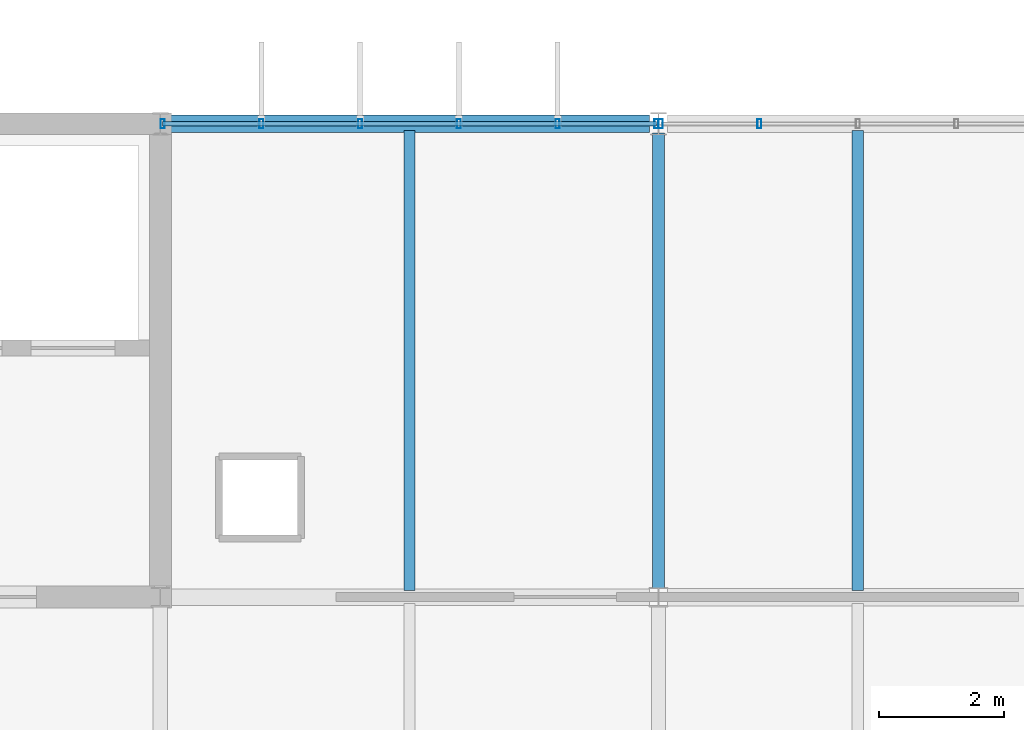
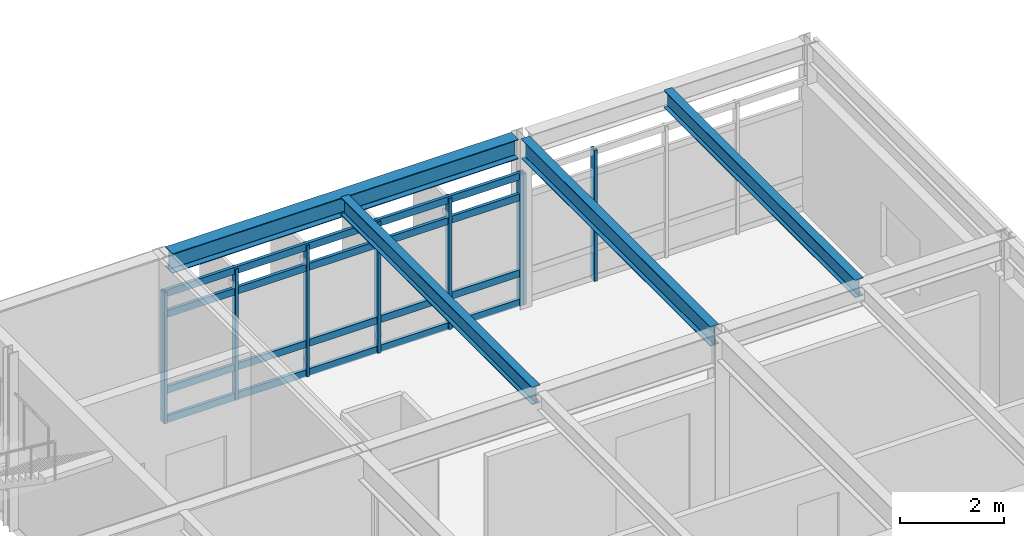
# One storey, part 11 of 21: 12 members, 4 beams, 2 elements without a shape of their own.
"""IFC4 building model written with IfcOpenShell, lengths in metres."""

from ifc_helpers import new_model, si_unit, direction, frame, origin, origin_2d, place, context, subcontext, project, spatial, hollow_rectangle, i_section, extrude, material, material_profile, profile_set, type_object, element, aggregate, save


model = new_model("IFC4")

# Units and contexts
model_context = context("Model", 3, precision=1e-05, world=origin(), true_north=direction((0.0, 1.0)))
body_context = subcontext(model_context, "Body", "Model", "MODEL_VIEW")
ifc_project = project(units=[si_unit("LENGTHUNIT", "METRE"), si_unit("AREAUNIT", "SQUARE_METRE"), si_unit("VOLUMEUNIT", "CUBIC_METRE"), si_unit("PLANEANGLEUNIT", "RADIAN"), si_unit("MASSUNIT", "GRAM", prefix="KILO")], contexts=[model_context])

# Site, building, storey
site_placement = place(None, origin())
site = spatial("IfcSite", under=ifc_project, at=site_placement, CompositionType="ELEMENT")
building_placement = place(site_placement, origin())
building = spatial("IfcBuilding", under=site, at=building_placement, Name="Zulena Civic Courthouse", CompositionType="ELEMENT")
storey_placement = place(building_placement, frame((0.0, 0.0, 37.800048828125)))
storey = spatial("IfcBuildingStorey", under=building, at=storey_placement, Name="L08", CompositionType="ELEMENT", Elevation=37.800048828125)

# Curtain wall, members
ifc_material_1 = material(Name="Double-silver low-E laminated solar-control glass", Category="glass")
curtain_wall_type_1 = type_object("IfcCurtainWallType", Name="CW_7928x3090", PredefinedType="USERDEFINED", material=ifc_material_1)
curtain_wall_1_placement = place(storey_placement, origin())
curtain_wall_1 = element("IfcCurtainWall", 1, at=curtain_wall_1_placement, inside=storey, type_object=curtain_wall_type_1, Name="cw:V2:L08:1:4", ObjectType="UNITISED CURTAIN WALL", PredefinedType="USERDEFINED")
ifc_material_2 = material(Name="Bronze anodised thermally broken aluminium AA6063-T6", Category="aluminium")
ifc_material_profile_1 = material_profile(ifc_material_2, hollow_rectangle(XDim=0.06494140625, YDim=0.14990234375, WallThickness=0.00390625, at=origin_2d()), Name="CWM150X65X4")
ifc_profile_set_1 = profile_set([ifc_material_profile_1], Name="Bronze anodised thermally broken aluminium AA6063-T6")
member_type_1 = type_object("IfcMemberType", Name="CWMullion_150x65", PredefinedType="MULLION", material=ifc_profile_set_1)
member_1_placement = place(storey_placement, frame((52.035888671875, 22.800048828125, 0.0), z_axis=(0.0, 0.0, 1.0), x_axis=(1.0, 0.0, 0.0)))
member_1 = element("IfcMember", 2, at=member_1_placement, type_object=member_type_1, Name="cw:V2:L08:1:4:mull:0", PredefinedType="MULLION", context=body_context, shape_type="SweptSolid", body=[
    extrude(hollow_rectangle(XDim=0.06494140625, YDim=0.14990234375, WallThickness=0.00390625, at=origin_2d()), origin(), (0.0, 0.0, 1.0), 3.08984375),
])
member_2_placement = place(storey_placement, frame((53.62158203125, 22.800048828125, 0.0), z_axis=(0.0, 0.0, 1.0), x_axis=(1.0, 0.0, 0.0)))
member_2 = element("IfcMember", 3, at=member_2_placement, type_object=member_type_1, Name="cw:V2:L08:1:4:mull:1", PredefinedType="MULLION", context=body_context, shape_type="SweptSolid", body=[
    extrude(hollow_rectangle(XDim=0.06494140625, YDim=0.14990234375, WallThickness=0.00390625, at=origin_2d()), origin(), (0.0, 0.0, 1.0), 3.08984375),
])
member_3_placement = place(storey_placement, frame((55.207275390625, 22.800048828125, 0.0), z_axis=(0.0, 0.0, 1.0), x_axis=(1.0, 0.0, 0.0)))
member_3 = element("IfcMember", 4, at=member_3_placement, type_object=member_type_1, Name="cw:V2:L08:1:4:mull:2", PredefinedType="MULLION", context=body_context, shape_type="SweptSolid", body=[
    extrude(hollow_rectangle(XDim=0.06494140625, YDim=0.14990234375, WallThickness=0.00390625, at=origin_2d()), origin(), (0.0, 0.0, 1.0), 3.08984375),
])
member_4_placement = place(storey_placement, frame((56.792724609375, 22.800048828125, 0.0), z_axis=(0.0, 0.0, 1.0), x_axis=(1.0, 0.0, 0.0)))
member_4 = element("IfcMember", 5, at=member_4_placement, type_object=member_type_1, Name="cw:V2:L08:1:4:mull:3", PredefinedType="MULLION", context=body_context, shape_type="SweptSolid", body=[
    extrude(hollow_rectangle(XDim=0.06494140625, YDim=0.14990234375, WallThickness=0.00390625, at=origin_2d()), origin(), (0.0, 0.0, 1.0), 3.08984375),
])
member_5_placement = place(storey_placement, frame((58.37841796875, 22.800048828125, 0.0), z_axis=(0.0, 0.0, 1.0), x_axis=(1.0, 0.0, 0.0)))
member_5 = element("IfcMember", 6, at=member_5_placement, type_object=member_type_1, Name="cw:V2:L08:1:4:mull:4", PredefinedType="MULLION", context=body_context, shape_type="SweptSolid", body=[
    extrude(hollow_rectangle(XDim=0.06494140625, YDim=0.14990234375, WallThickness=0.00390625, at=origin_2d()), origin(), (0.0, 0.0, 1.0), 3.08984375),
])
member_6_placement = place(storey_placement, frame((59.964111328125, 22.800048828125, 0.0), z_axis=(0.0, 0.0, 1.0), x_axis=(1.0, 0.0, 0.0)))
member_6 = element("IfcMember", 7, at=member_6_placement, type_object=member_type_1, Name="cw:V2:L08:1:4:mull:5", PredefinedType="MULLION", context=body_context, shape_type="SweptSolid", body=[
    extrude(hollow_rectangle(XDim=0.06494140625, YDim=0.14990234375, WallThickness=0.00390625, at=origin_2d()), origin(), (0.0, 0.0, 1.0), 3.08984375),
])

curtain_wall_type_2 = type_object("IfcCurtainWallType", Name="CW_6328x3090", PredefinedType="USERDEFINED", material=ifc_material_1)
curtain_wall_2_placement = place(storey_placement, origin())
curtain_wall_2 = element("IfcCurtainWall", 8, at=curtain_wall_2_placement, inside=storey, type_object=curtain_wall_type_2, Name="cw:V2:L08:1:5", ObjectType="UNITISED CURTAIN WALL", PredefinedType="USERDEFINED")
member_7_placement = place(storey_placement, frame((60.035888671875, 22.800048828125, 0.0), z_axis=(0.0, 0.0, 1.0), x_axis=(1.0, 0.0, 0.0)))
member_7 = element("IfcMember", 9, at=member_7_placement, type_object=member_type_1, Name="cw:V2:L08:1:5:mull:0", PredefinedType="MULLION", context=body_context, shape_type="SweptSolid", body=[
    extrude(hollow_rectangle(XDim=0.06494140625, YDim=0.14990234375, WallThickness=0.00390625, at=origin_2d()), origin(), (0.0, 0.0, 1.0), 3.08984375),
])
member_8_placement = place(storey_placement, frame((61.617919921875, 22.800048828125, 0.0), z_axis=(0.0, 0.0, 1.0), x_axis=(1.0, 0.0, 0.0)))
member_8 = element("IfcMember", 10, at=member_8_placement, type_object=member_type_1, Name="cw:V2:L08:1:5:mull:1", PredefinedType="MULLION", context=body_context, shape_type="SweptSolid", body=[
    extrude(hollow_rectangle(XDim=0.06494140625, YDim=0.14990234375, WallThickness=0.00390625, at=origin_2d()), origin(), (0.0, 0.0, 1.0), 3.08984375),
])
aggregate(curtain_wall_2, [member_7, member_8])

# Member
ifc_material_profile_2 = material_profile(ifc_material_2, hollow_rectangle(XDim=0.070068359375, YDim=0.1650390625, WallThickness=0.00390625, at=origin_2d()), Name="CWT165X70X4")
ifc_profile_set_2 = profile_set([ifc_material_profile_2], Name="Bronze anodised thermally broken aluminium AA6063-T6")
member_type_2 = type_object("IfcMemberType", Name="CWTransom_165x70", PredefinedType="USERDEFINED", material=ifc_profile_set_2)
member_9_placement = place(storey_placement, frame((52.035888671875, 22.800048828125, 0.06005859375), z_axis=(1.0, 0.0, 0.0), x_axis=(0.0, 1.0, 0.0)))
member_9 = element("IfcMember", 11, at=member_9_placement, type_object=member_type_2, Name="cw:V2:L08:1:4:tran:0", ObjectType="TRANSOM", PredefinedType="USERDEFINED", context=body_context, shape_type="SweptSolid", body=[
    extrude(hollow_rectangle(XDim=0.070068359375, YDim=0.1650390625, WallThickness=0.00390625, at=origin_2d()), origin(), (0.0, 0.0, 1.0), 7.92822265625),
])

member_10_placement = place(storey_placement, frame((52.035888671875, 22.800048828125, 0.75), z_axis=(1.0, 0.0, 0.0), x_axis=(0.0, 1.0, 0.0)))
member_10 = element("IfcMember", 12, at=member_10_placement, type_object=member_type_2, Name="cw:V2:L08:1:4:tran:1", ObjectType="TRANSOM", PredefinedType="USERDEFINED", context=body_context, shape_type="SweptSolid", body=[
    extrude(hollow_rectangle(XDim=0.070068359375, YDim=0.1650390625, WallThickness=0.00390625, at=origin_2d()), origin(), (0.0, 0.0, 1.0), 7.92822265625),
])

member_11_placement = place(storey_placement, frame((52.035888671875, 22.800048828125, 2.5400390625), z_axis=(1.0, 0.0, 0.0), x_axis=(0.0, 1.0, 0.0)))
member_11 = element("IfcMember", 13, at=member_11_placement, type_object=member_type_2, Name="cw:V2:L08:1:4:tran:2", ObjectType="TRANSOM", PredefinedType="USERDEFINED", context=body_context, shape_type="SweptSolid", body=[
    extrude(hollow_rectangle(XDim=0.070068359375, YDim=0.1650390625, WallThickness=0.00390625, at=origin_2d()), origin(), (0.0, 0.0, 1.0), 7.92822265625),
])

member_12_placement = place(storey_placement, frame((52.035888671875, 22.800048828125, 3.030029296875), z_axis=(1.0, 0.0, 0.0), x_axis=(0.0, 1.0, 0.0)))
member_12 = element("IfcMember", 14, at=member_12_placement, type_object=member_type_2, Name="cw:V2:L08:1:4:tran:3", ObjectType="TRANSOM", PredefinedType="USERDEFINED", context=body_context, shape_type="SweptSolid", body=[
    extrude(hollow_rectangle(XDim=0.070068359375, YDim=0.1650390625, WallThickness=0.00390625, at=origin_2d()), origin(), (0.0, 0.0, 1.0), 7.92822265625),
])

aggregate(curtain_wall_1, [member_1, member_2, member_3, member_4, member_5, member_6, member_9, member_10, member_11, member_12])

# Beams
ifc_material_3 = material(Name="Steel ASTM A992 Grade 50", Category="steel")
ifc_material_profile_3 = material_profile(ifc_material_3, i_section(OverallWidth=0.180908203125, OverallDepth=0.4169921875, WebThickness=0.010986328125, FlangeThickness=0.018310546875, FilletRadius=0.01025390625, at=origin_2d()), Name="W16X57")
ifc_profile_set_3 = profile_set([ifc_material_profile_3], Name="Steel ASTM A992 Grade 50")
beam_type_1 = type_object("IfcBeamType", Name="Joist_W16X57", PredefinedType="JOIST", material=ifc_profile_set_3)
for number, where, z_axis, x_axis, name in (
    (15, (56.0, 15.304931640625, 3.79150390625), (0.0, 1.0, 0.0), (-1.0, 0.0, 0.0), "joist:V2:L08:56.00:15.2_22.8"),
    (16, (63.199951171875, 15.304931640625, 3.79150390625), (0.0, 1.0, 0.0), (-1.0, 0.0, 0.0), "joist:V2:L08:63.20:15.2_22.8"),
):
    element("IfcBeam", number, at=place(storey_placement, frame(where, z_axis=z_axis, x_axis=x_axis)), inside=storey, type_object=beam_type_1, Name=name, PredefinedType="JOIST", context=body_context, shape_type="SweptSolid", body=[
        extrude(i_section(OverallWidth=0.180908203125, OverallDepth=0.4169921875, WebThickness=0.010986328125, FlangeThickness=0.018310546875, FilletRadius=0.01025390625, at=origin_2d()), origin(), (0.0, 0.0, 1.0), 7.39013671875),
    ])
ifc_material_profile_4 = material_profile(ifc_material_3, i_section(OverallWidth=0.19091796875, OverallDepth=0.4599609375, WebThickness=0.010009765625, FlangeThickness=0.01611328125, FilletRadius=0.01025390625, at=origin_2d()), Name="W18X55")
ifc_profile_set_4 = profile_set([ifc_material_profile_4], Name="Steel ASTM A992 Grade 50")
beam_type_2 = type_object("IfcBeamType", Name="Spandrel_W18X55", PredefinedType="SPANDREL", material=ifc_profile_set_4)
beam_1_placement = place(storey_placement, frame((60.0, 15.344970703125, 3.77001953125), z_axis=(0.0, 1.0, 0.0), x_axis=(-1.0, 0.0, 0.0)))
element("IfcBeam", 17, at=beam_1_placement, inside=storey, type_object=beam_type_2, Name="beam:Y:V2:L08:60.0:15.2_22.8", PredefinedType="SPANDREL", context=body_context, shape_type="SweptSolid", body=[
    extrude(i_section(OverallWidth=0.19091796875, OverallDepth=0.4599609375, WebThickness=0.010009765625, FlangeThickness=0.01611328125, FilletRadius=0.01025390625, at=origin_2d()), origin(), (0.0, 0.0, 1.0), 7.31005859375),
])
ifc_material_profile_5 = material_profile(ifc_material_3, i_section(OverallWidth=0.280029296875, OverallDepth=0.462890625, WebThickness=0.0107421875, FlangeThickness=0.017333984375, FilletRadius=0.01025390625, at=origin_2d()), Name="W18X76")
ifc_profile_set_5 = profile_set([ifc_material_profile_5], Name="Steel ASTM A992 Grade 50")
beam_type_3 = type_object("IfcBeamType", Name="Spandrel_W18X76", PredefinedType="SPANDREL", material=ifc_profile_set_5)
beam_2_placement = place(storey_placement, frame((52.14501953125, 22.800048828125, 3.7685546875), z_axis=(1.0, 0.0, 0.0), x_axis=(0.0, 1.0, 0.0)))
element("IfcBeam", 18, at=beam_2_placement, inside=storey, type_object=beam_type_3, Name="beam:X:V2:L08:22.8:52.0_60.0", PredefinedType="SPANDREL", context=body_context, shape_type="SweptSolid", body=[
    extrude(i_section(OverallWidth=0.280029296875, OverallDepth=0.462890625, WebThickness=0.0107421875, FlangeThickness=0.017333984375, FilletRadius=0.01025390625, at=origin_2d()), origin(), (0.0, 0.0, 1.0), 7.7099609375),
])

save(model, "model.ifc")
